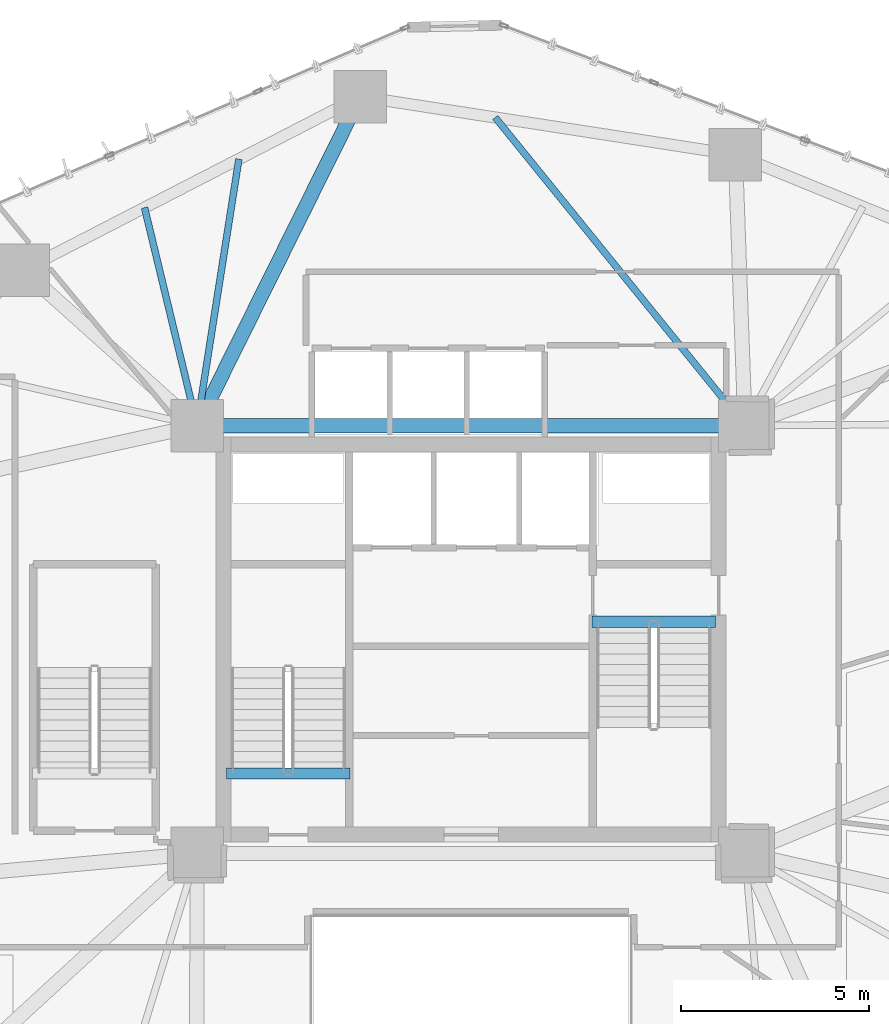
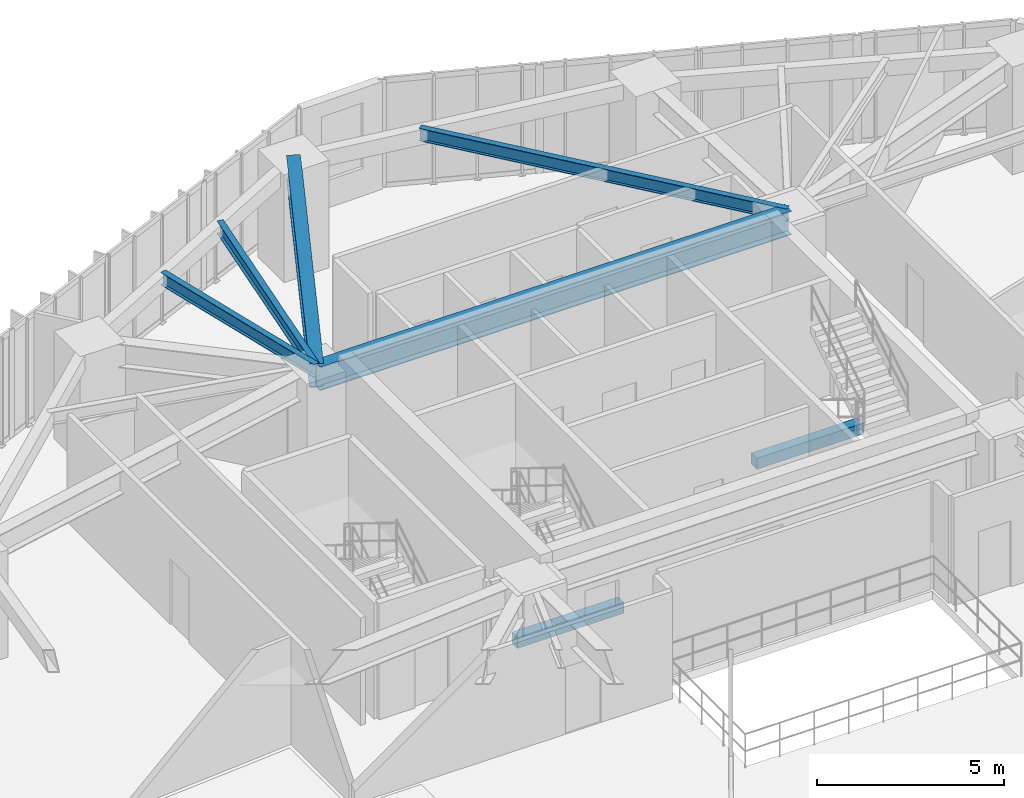
# One storey, part 7 of 23: 7 beams.
"""IFC4 building model written with IfcOpenShell, lengths in metres."""

from ifc_helpers import new_model, si_unit, direction, frame, origin, origin_2d, place, context, subcontext, project, spatial, rectangle, i_section, extrude, material, material_profile, profile_set, type_object, element, save


model = new_model("IFC4")

# Units and contexts
model_context = context("Model", 3, precision=1e-05, world=origin(), true_north=direction((0.0, 1.0)))
body_context = subcontext(model_context, "Body", "Model", "MODEL_VIEW")
ifc_project = project(units=[si_unit("LENGTHUNIT", "METRE"), si_unit("AREAUNIT", "SQUARE_METRE"), si_unit("VOLUMEUNIT", "CUBIC_METRE"), si_unit("PLANEANGLEUNIT", "RADIAN"), si_unit("MASSUNIT", "GRAM", prefix="KILO")], contexts=[model_context])

# Site, building, storey
site_placement = place(None, origin())
site = spatial("IfcSite", under=ifc_project, at=site_placement, CompositionType="ELEMENT")
building_placement = place(site_placement, origin())
building = spatial("IfcBuilding", under=site, at=building_placement, Name="Talar Marvaseh", CompositionType="ELEMENT")
storey_placement = place(building_placement, frame((0.0, 0.0, 27.800048828125)))
storey = spatial("IfcBuildingStorey", under=building, at=storey_placement, Name="L06", CompositionType="ELEMENT", Elevation=27.800048828125)

# Beams
ifc_material_1 = material(Name="Concrete C40/50", Category="concrete")
ifc_material_profile_1 = material_profile(ifc_material_1, rectangle(XDim=0.300048828125, YDim=0.360107421875, at=origin_2d()), Name="RC300x360")
ifc_profile_set_1 = profile_set([ifc_material_profile_1], Name="Concrete C40/50")
beam_type_1 = type_object("IfcBeamType", Name="Concrete Stair Landing Trimmer Beam RC300x360", PredefinedType="SPANDREL", material=ifc_profile_set_1)
for number, where, z_axis, x_axis, name in (
    (1, (22.780029296875, 27.6298828125, -0.179931640625), (-1.0, 0.0, 0.0), (0.0, -1.0, 0.0), "L06 ST-1 Stair Nosing Trimmer Beam"),
    (2, (29.219970703125, 31.669921875, -0.179931640625), (1.0, 0.0, 0.0), (0.0, 1.0, 0.0), "L06 ST-2 Stair Nosing Trimmer Beam"),
):
    element("IfcBeam", number, at=place(storey_placement, frame(where, z_axis=z_axis, x_axis=x_axis)), inside=storey, type_object=beam_type_1, Name=name, PredefinedType="SPANDREL", context=body_context, shape_type="SweptSolid", body=[
        extrude(rectangle(XDim=0.300048828125, YDim=0.360107421875, at=origin_2d()), origin(), (0.0, 0.0, 1.0), 3.300048828125),
    ])
ifc_material_2 = material(Name="Steel S355", Category="steel")
ifc_material_profile_2 = material_profile(ifc_material_2, i_section(OverallWidth=0.381103515625, OverallDepth=0.77294921875, WebThickness=0.0166015625, FlangeThickness=0.027099609375, at=origin_2d()), Name="W760x257")
ifc_profile_set_2 = profile_set([ifc_material_profile_2], Name="Steel S355")
beam_type_2 = type_object("IfcBeamType", Name="Zone 1 Radial Floor Girder W760x257", PredefinedType="BEAM", material=ifc_profile_set_2)
beam_1_placement = place(storey_placement, frame((18.699951171875, 36.89990234375, 3.133544921875), z_axis=(1.0, 0.0, 0.0), x_axis=(0.0, 1.0, 0.0)))
element("IfcBeam", 3, at=beam_1_placement, inside=storey, type_object=beam_type_2, Name="L06 Zone 1 Radial Floor Girder W760x257", PredefinedType="BEAM", context=body_context, shape_type="SweptSolid", body=[
    extrude(i_section(OverallWidth=0.381103515625, OverallDepth=0.77294921875, WebThickness=0.0166015625, FlangeThickness=0.027099609375, at=origin_2d()), origin(), (0.0, 0.0, 1.0), 14.60009765625),
])
beam_2_placement = place(storey_placement, frame((23.047119140625, 45.6669921875, 3.133544921875), z_axis=(-0.444237233911, -0.895909191831, 0.0), x_axis=(0.895909191831, -0.444237233911, 0.0)))
element("IfcBeam", 4, at=beam_2_placement, inside=storey, type_object=beam_type_2, Name="L06 Zone 1 Radial Floor Girder W760x257", PredefinedType="BEAM", context=body_context, shape_type="SweptSolid", body=[
    extrude(i_section(OverallWidth=0.381103515625, OverallDepth=0.77294921875, WebThickness=0.0166015625, FlangeThickness=0.027099609375, at=origin_2d()), origin(), (0.0, 0.0, 1.0), 9.78564453125),
])
ifc_material_profile_3 = material_profile(ifc_material_2, i_section(OverallWidth=0.179931640625, OverallDepth=0.4130859375, WebThickness=0.009765625, FlangeThickness=0.01611328125, at=origin_2d()), Name="W410x75")
ifc_profile_set_3 = profile_set([ifc_material_profile_3], Name="Steel S355")
beam_type_3 = type_object("IfcBeamType", Name="Zone 1 Secondary Floor Joist W410x75", PredefinedType="JOIST", material=ifc_profile_set_3)
beam_3_placement = place(storey_placement, frame((17.301025390625, 42.70751953125, 3.3134765625), z_axis=(0.234179742477, -0.972193318334, 0.0), x_axis=(0.972193318334, 0.234179742477, 0.0)))
element("IfcBeam", 5, at=beam_3_placement, inside=storey, type_object=beam_type_3, Name="L06 Zone 1 Secondary Floor Joist W410x75", PredefinedType="JOIST", context=body_context, shape_type="SweptSolid", body=[
    extrude(i_section(OverallWidth=0.179931640625, OverallDepth=0.4130859375, WebThickness=0.009765625, FlangeThickness=0.01611328125, at=origin_2d()), origin(), (0.0, 0.0, 1.0), 5.9736328125),
])
beam_4_placement = place(storey_placement, frame((19.81494140625, 44.00244140625, 3.3134765625), z_axis=(-0.15508539052, -0.987901068755, 0.0), x_axis=(0.987901068755, -0.15508539052, 0.0)))
element("IfcBeam", 6, at=beam_4_placement, inside=storey, type_object=beam_type_3, Name="L06 Zone 1 Secondary Floor Joist W410x75", PredefinedType="JOIST", context=body_context, shape_type="SweptSolid", body=[
    extrude(i_section(OverallWidth=0.179931640625, OverallDepth=0.4130859375, WebThickness=0.009765625, FlangeThickness=0.01611328125, at=origin_2d()), origin(), (0.0, 0.0, 1.0), 7.189453125),
])
beam_5_placement = place(storey_placement, frame((26.646484375, 45.109375, 3.3134765625), z_axis=(0.629644089062, -0.776883724317, 0.0), x_axis=(0.776883724317, 0.629644089062, 0.0)))
element("IfcBeam", 7, at=beam_5_placement, inside=storey, type_object=beam_type_3, Name="L06 Zone 1 Secondary Floor Joist W410x75", PredefinedType="JOIST", context=body_context, shape_type="SweptSolid", body=[
    extrude(i_section(OverallWidth=0.179931640625, OverallDepth=0.4130859375, WebThickness=0.009765625, FlangeThickness=0.01611328125, at=origin_2d()), origin(), (0.0, 0.0, 1.0), 10.567138671875),
])

save(model, "model.ifc")
